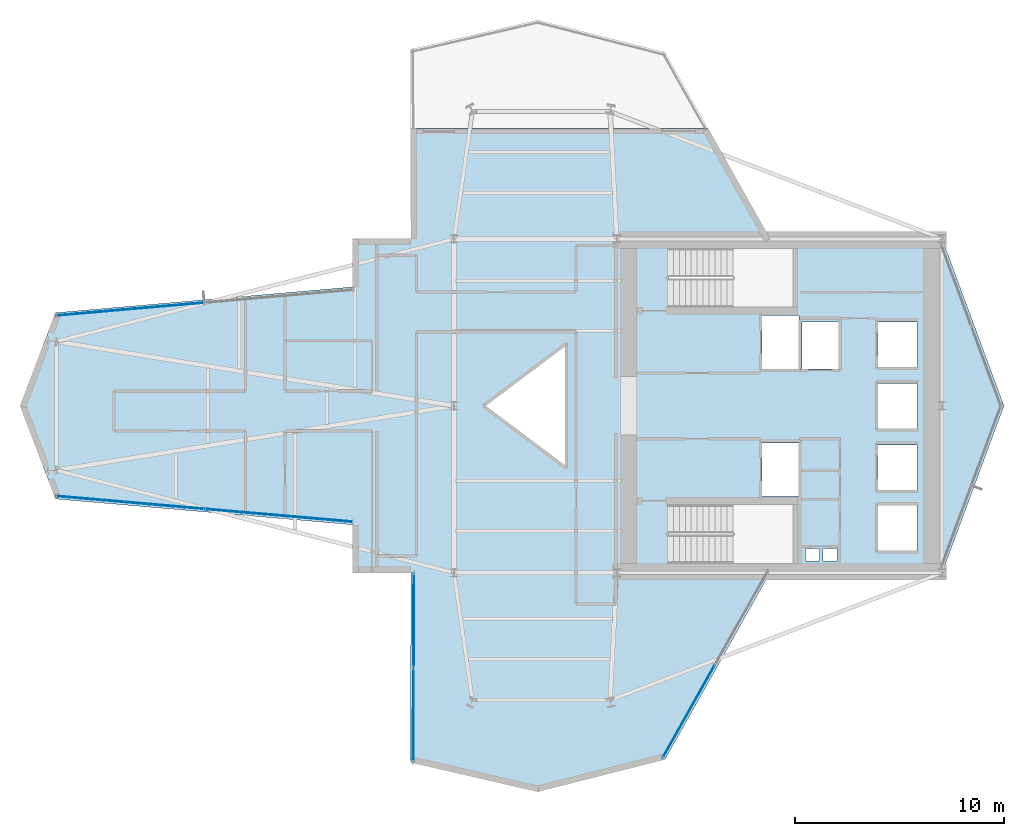
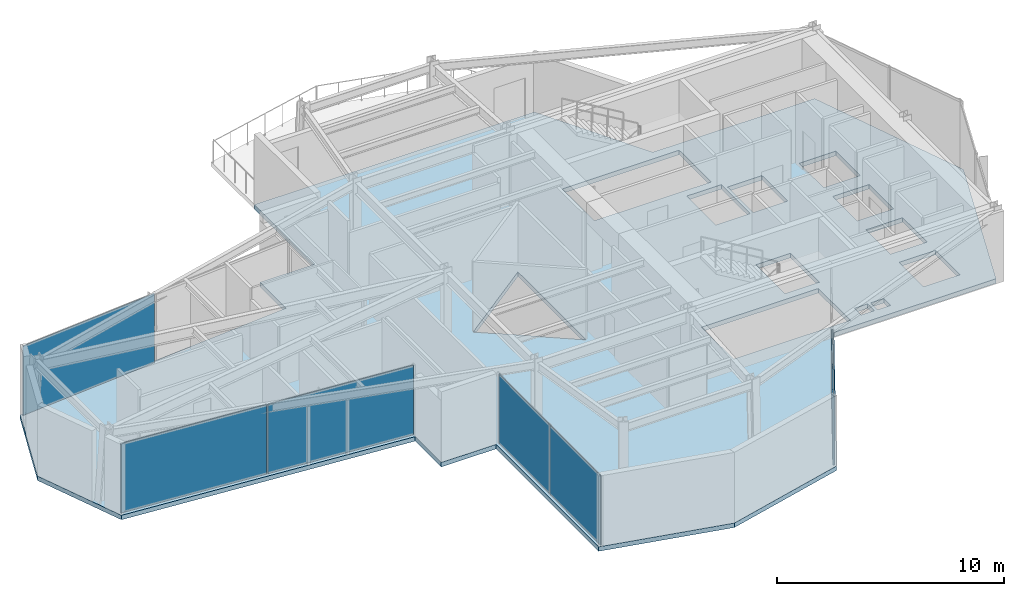
# One storey, part 17 of 23: 6 plates, 1 slab, 4 elements without a shape of their own.
"""IFC4 building model written with IfcOpenShell, lengths in metres."""

from ifc_helpers import new_model, si_unit, direction, frame, origin, origin_2d, place, context, subcontext, project, spatial, polyline, rectangle, outline, extrude, material, layer, layer_set, type_object, element, aggregate, save


model = new_model("IFC4")

# Units and contexts
model_context = context("Model", 3, precision=1e-05, world=origin(), true_north=direction((0.0, 1.0)))
body_context = subcontext(model_context, "Body", "Model", "MODEL_VIEW")
ifc_project = project(units=[si_unit("LENGTHUNIT", "METRE"), si_unit("AREAUNIT", "SQUARE_METRE"), si_unit("VOLUMEUNIT", "CUBIC_METRE"), si_unit("PLANEANGLEUNIT", "RADIAN"), si_unit("MASSUNIT", "GRAM", prefix="KILO")], contexts=[model_context])

# Site, building, storey
site_placement = place(None, origin())
site = spatial("IfcSite", under=ifc_project, at=site_placement, CompositionType="ELEMENT")
building_placement = place(site_placement, origin())
building = spatial("IfcBuilding", under=site, at=building_placement, Name="Veymaron Broadcast Tower", CompositionType="ELEMENT")
storey_placement = place(building_placement, frame((0.0, 0.0, 165.449951171875)))
storey = spatial("IfcBuildingStorey", under=building, at=storey_placement, Name="L38", CompositionType="ELEMENT", Elevation=165.449951171875)

# Curtain wall, plate
ifc_material_1 = material(Name="Anodised aluminium AA 6063-T6 and laminated low-E dark glass", Category="aluminium")
ifc_layer_1 = layer(ifc_material_1, 0.179931640625)
ifc_layer_set_1 = layer_set([ifc_layer_1], Name="Anodised aluminium AA 6063-T6 and laminated low-E dark glass")
curtain_wall_type = type_object("IfcCurtainWallType", Name="CW-SYS-03", PredefinedType="NOTDEFINED", material=ifc_layer_set_1)
curtain_wall_1_placement = place(storey_placement, origin())
curtain_wall_1 = element("IfcCurtainWall", 1, at=curtain_wall_1_placement, inside=storey, type_object=curtain_wall_type, Name="L38 dark-glass curtain wall CW-L38-E1-1", PredefinedType="NOTDEFINED")
ifc_material_2 = material(Name="Insulated dark-anodised aluminium spandrel panel 40 mm", Category="aluminium")
ifc_layer_2 = layer(ifc_material_2, 0.0400390625)
ifc_layer_set_2 = layer_set([ifc_layer_2], Name="Insulated dark-anodised aluminium spandrel panel 40 mm")
plate_type = type_object("IfcPlateType", Name="CW-PNL-03", PredefinedType="CURTAIN_PANEL", material=ifc_layer_set_2)
plate_1_placement = place(storey_placement, frame((42.456787109375, 9.362060546875, 0.0400390625), z_axis=(0.0, 0.0, 1.0), x_axis=(0.490143289315, 0.871641873673, 0.0)))
plate_1 = element("IfcPlate", 2, at=plate_1_placement, type_object=plate_type, Name="CW-L38-E1-1 unitised curtain panel 0", PredefinedType="CURTAIN_PANEL", context=body_context, shape_type="SweptSolid", body=[
    extrude(rectangle(XDim=5.0693359375, YDim=0.0400390625, at=origin_2d()), origin(), (0.0, 0.0, 1.0), 3.72998046875),
])
aggregate(curtain_wall_1, [plate_1])

curtain_wall_2_placement = place(storey_placement, origin())
curtain_wall_2 = element("IfcCurtainWall", 3, at=curtain_wall_2_placement, inside=storey, type_object=curtain_wall_type, Name="L38 dark-glass curtain wall CW-L38-E11-1", PredefinedType="NOTDEFINED")
plate_2_placement = place(storey_placement, frame((15.673095703125, 28.633544921875, 0.0400390625), z_axis=(0.0, 0.0, 1.0), x_axis=(-0.996255301507, -0.086460246466, 0.0)))
plate_2 = element("IfcPlate", 4, at=plate_2_placement, type_object=plate_type, Name="CW-L38-E11-1 unitised curtain panel 1", PredefinedType="CURTAIN_PANEL", context=body_context, shape_type="SweptSolid", body=[
    extrude(rectangle(XDim=7.0888671875, YDim=0.0400390625, at=origin_2d()), origin(), (0.0, 0.0, 1.0), 3.72998046875),
])
aggregate(curtain_wall_2, [plate_2])

# Curtain wall, plates
curtain_wall_3_placement = place(storey_placement, origin())
curtain_wall_3 = element("IfcCurtainWall", 5, at=curtain_wall_3_placement, inside=storey, type_object=curtain_wall_type, Name="L38 dark-glass curtain wall CW-L38-E14-1", PredefinedType="NOTDEFINED")
plate_3_placement = place(storey_placement, frame((15.673095703125, 19.366455078125, 0.0400390625), z_axis=(0.0, 0.0, 1.0), x_axis=(0.996255301507, -0.086460246466, 0.0)))
plate_3 = element("IfcPlate", 6, at=plate_3_placement, type_object=plate_type, Name="CW-L38-E14-1 unitised curtain panel 0", PredefinedType="CURTAIN_PANEL", context=body_context, shape_type="SweptSolid", body=[
    extrude(rectangle(XDim=7.0888671875, YDim=0.0400390625, at=origin_2d()), origin(), (0.0, 0.0, 1.0), 3.72998046875),
])
plate_4_placement = place(storey_placement, frame((22.795166015625, 18.748291015625, 0.0400390625), z_axis=(0.0, 0.0, 1.0), x_axis=(0.996255301507, -0.086460246466, 0.0)))
plate_4 = element("IfcPlate", 7, at=plate_4_placement, type_object=plate_type, Name="CW-L38-E14-1 unitised curtain panel 1", PredefinedType="CURTAIN_PANEL", context=body_context, shape_type="SweptSolid", body=[
    extrude(rectangle(XDim=7.0888671875, YDim=0.0400390625, at=origin_2d()), origin(), (0.0, 0.0, 1.0), 3.72998046875),
])
aggregate(curtain_wall_3, [plate_3, plate_4])

curtain_wall_4_placement = place(storey_placement, origin())
curtain_wall_4 = element("IfcCurtainWall", 8, at=curtain_wall_4_placement, inside=storey, type_object=curtain_wall_type, Name="L38 dark-glass curtain wall CW-L38-E17-1", PredefinedType="NOTDEFINED")
plate_5_placement = place(storey_placement, frame((29.271728515625, 13.728759765625, 0.0400390625), z_axis=(0.0, 0.0, 1.0), x_axis=(-0.00403169965, -0.999991872666, 0.0)))
plate_5 = element("IfcPlate", 9, at=plate_5_placement, type_object=plate_type, Name="CW-L38-E17-1 unitised curtain panel 0", PredefinedType="CURTAIN_PANEL", context=body_context, shape_type="SweptSolid", body=[
    extrude(rectangle(XDim=4.4814453125, YDim=0.0400390625, at=origin_2d()), origin(), (0.0, 0.0, 1.0), 3.72998046875),
])
plate_6_placement = place(storey_placement, frame((29.25341796875, 9.18701171875, 0.0400390625), z_axis=(0.0, 0.0, 1.0), x_axis=(-0.00403169965, -0.999991872666, 0.0)))
plate_6 = element("IfcPlate", 10, at=plate_6_placement, type_object=plate_type, Name="CW-L38-E17-1 unitised curtain panel 1", PredefinedType="CURTAIN_PANEL", context=body_context, shape_type="SweptSolid", body=[
    extrude(rectangle(XDim=4.4814453125, YDim=0.0400390625, at=origin_2d()), origin(), (0.0, 0.0, 1.0), 3.72998046875),
])
aggregate(curtain_wall_4, [plate_5, plate_6])

# Slab
ifc_material_3 = material(Name="Concrete C40/50", Category="concrete")
ifc_layer_3 = layer(ifc_material_3, 0.239990234375)
ifc_layer_set_3 = layer_set([ifc_layer_3], Name="Concrete C40/50")
slab_type = type_object("IfcSlabType", Name="SLAB-FS6", PredefinedType="FLOOR", material=ifc_layer_set_3)
slab_placement = place(storey_placement, frame((0.0, 0.0, -0.239990234375)))
element("IfcSlab", 11, at=slab_placement, inside=storey, type_object=slab_type, Name="L38 structural floor slab", PredefinedType="FLOOR", context=body_context, shape_type="SweptSolid", body=[
    extrude(outline(polyline([(41.32177734375, 7.05810546875), (46.35009765625, 16.0), (54.60009765625, 16.0), (57.56103515625, 24.0), (54.60009765625, 32.0), (46.35009765625, 32.0), (43.373779296875, 37.29296875), (29.119384765625, 37.29296875), (29.140869140625, 32.0), (26.343994140625, 32.0), (26.343994140625, 29.7001953125), (12.10009765625, 28.464111328125), (10.407958984375, 24.0), (12.10009765625, 19.535888671875), (26.343994140625, 18.2998046875), (26.343994140625, 16.0), (29.140869140625, 16.0), (29.104248046875, 6.9169921875), (35.212890625, 5.507080078125), (41.32177734375, 7.05810546875)]), holes=[polyline([(45.969970703125, 28.330078125), (47.72998046875, 28.330078125), (47.72998046875, 25.77001953125), (45.969970703125, 25.77001953125), (45.969970703125, 28.330078125)]), polyline([(45.969970703125, 22.22998046875), (47.72998046875, 22.22998046875), (47.72998046875, 19.669921875), (45.969970703125, 19.669921875), (45.969970703125, 22.22998046875)]), polyline([(47.8701171875, 28.030029296875), (49.6298828125, 28.030029296875), (49.6298828125, 25.77001953125), (47.8701171875, 25.77001953125), (47.8701171875, 28.030029296875)]), polyline([(51.52001953125, 28.030029296875), (53.3798828125, 28.030029296875), (53.3798828125, 25.8701171875), (51.52001953125, 25.8701171875), (51.52001953125, 28.030029296875)]), polyline([(51.52001953125, 22.1298828125), (53.3798828125, 22.1298828125), (53.3798828125, 19.969970703125), (51.52001953125, 19.969970703125), (51.52001953125, 22.1298828125)]), polyline([(51.52001953125, 25.080078125), (53.3798828125, 25.080078125), (53.3798828125, 22.919921875), (51.52001953125, 22.919921875), (51.52001953125, 25.080078125)]), polyline([(51.52001953125, 19.22998046875), (53.3798828125, 19.22998046875), (53.3798828125, 17.070068359375), (51.52001953125, 17.070068359375), (51.52001953125, 19.22998046875)]), polyline([(48.050048828125, 17.159912109375), (48.719970703125, 17.159912109375), (48.719970703125, 16.56005859375), (48.050048828125, 16.56005859375), (48.050048828125, 17.159912109375)]), polyline([(48.8798828125, 17.159912109375), (49.550048828125, 17.159912109375), (49.550048828125, 16.56005859375), (48.8798828125, 16.56005859375), (48.8798828125, 17.159912109375)]), polyline([(36.60009765625, 27.0), (36.60009765625, 21.0), (32.60009765625, 24.0), (36.60009765625, 27.0)]), polyline([(41.489990234375, 31.550048828125), (47.43994140625, 31.550048828125), (47.43994140625, 28.72998046875), (41.489990234375, 28.72998046875), (41.489990234375, 31.550048828125)]), polyline([(41.489990234375, 19.27001953125), (47.43994140625, 19.27001953125), (47.43994140625, 16.449951171875), (41.489990234375, 16.449951171875), (41.489990234375, 19.27001953125)])]), origin(), (0.0, 0.0, 1.0), 0.239990234375),
])

save(model, "model.ifc")
